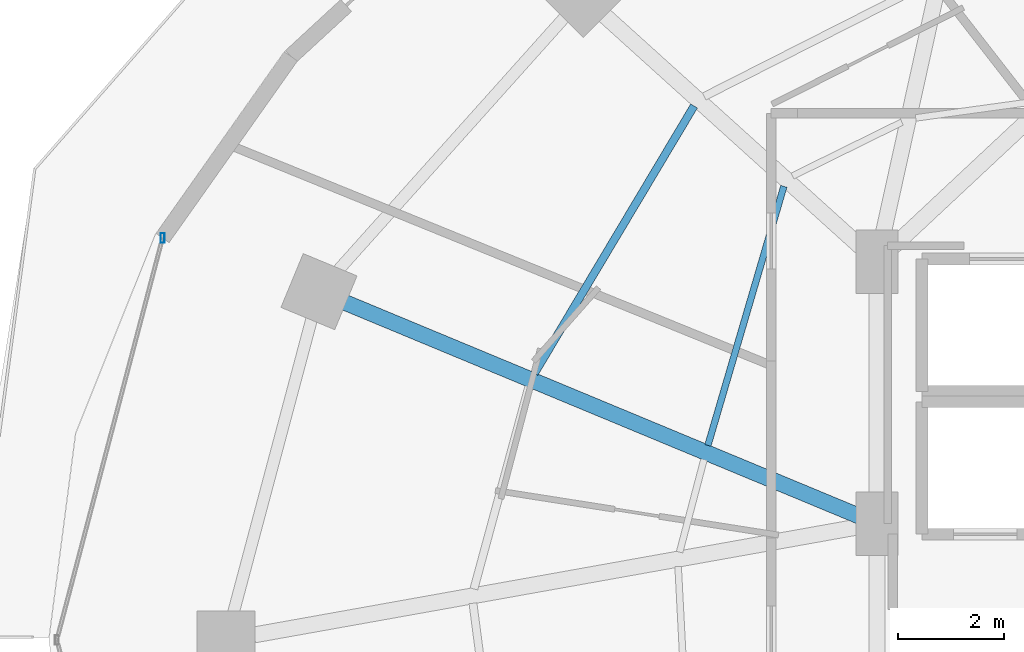
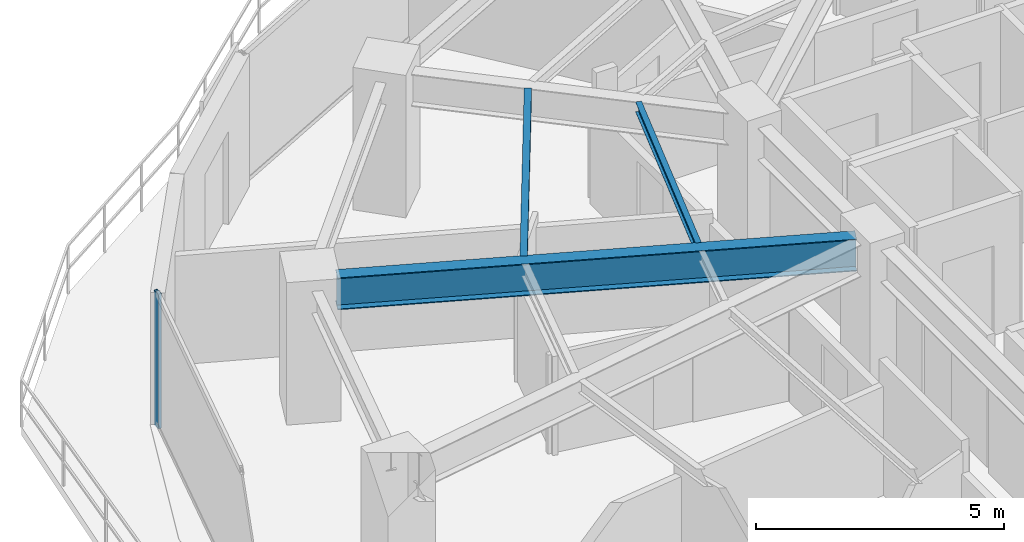
# One storey, part 8 of 30: 3 beams, 1 member, 1 element without a shape of its own.
"""IFC4 building model written with IfcOpenShell, lengths in metres."""

from ifc_helpers import new_model, si_unit, direction, frame, origin, origin_2d, place, context, subcontext, project, spatial, hollow_rectangle, i_section, extrude, material, material_profile, profile_set, type_object, element, aggregate, save


model = new_model("IFC4")

# Units and contexts
model_context = context("Model", 3, precision=1e-05, world=origin(), true_north=direction((0.0, 1.0)))
body_context = subcontext(model_context, "Body", "Model", "MODEL_VIEW")
ifc_project = project(units=[si_unit("LENGTHUNIT", "METRE"), si_unit("AREAUNIT", "SQUARE_METRE"), si_unit("VOLUMEUNIT", "CUBIC_METRE"), si_unit("PLANEANGLEUNIT", "RADIAN"), si_unit("MASSUNIT", "GRAM", prefix="KILO")], contexts=[model_context])

# Site, building, storey
site_placement = place(None, origin())
site = spatial("IfcSite", under=ifc_project, at=site_placement, CompositionType="ELEMENT")
building_placement = place(site_placement, origin())
building = spatial("IfcBuilding", under=site, at=building_placement, Name="Vorneva Point Tower", CompositionType="ELEMENT")
storey_placement = place(building_placement, frame((0.0, 0.0, 96.300048828125)))
storey = spatial("IfcBuildingStorey", under=building, at=storey_placement, Name="L25", CompositionType="ELEMENT", Elevation=96.300048828125)

# Beams
ifc_material_1 = material(Name="Steel S355", Category="steel")
ifc_material_profile_1 = material_profile(ifc_material_1, i_section(OverallWidth=0.300048828125, OverallDepth=0.7880859375, WebThickness=0.014404296875, FlangeThickness=0.02197265625, at=origin_2d()), Name="80Sh1")
ifc_profile_set_1 = profile_set([ifc_material_profile_1], Name="Steel S355")
beam_type_1 = type_object("IfcBeamType", Name="BM-GRD-80Sh1", PredefinedType="USERDEFINED", material=ifc_profile_set_1)
beam_1_placement = place(storey_placement, frame((17.201416015625, 32.375732421875, 2.845947265625), z_axis=(0.923444451211, -0.383732127307, 0.0), x_axis=(0.383732127307, 0.923444451211, 0.0)))
element("IfcBeam", 1, at=beam_1_placement, inside=storey, type_object=beam_type_1, Name="L25 Radial Primary Girder 08", ObjectType="GIRDER", PredefinedType="USERDEFINED", context=body_context, shape_type="SweptSolid", body=[
    extrude(i_section(OverallWidth=0.300048828125, OverallDepth=0.7880859375, WebThickness=0.014404296875, FlangeThickness=0.02197265625, at=origin_2d()), origin(), (0.0, 0.0, 1.0), 10.541748046875),
])
ifc_material_profile_2 = material_profile(ifc_material_1, i_section(OverallWidth=0.1240234375, OverallDepth=0.248046875, WebThickness=0.0048828125, FlangeThickness=0.008056640625, at=origin_2d()), Name="25B1")
ifc_profile_set_2 = profile_set([ifc_material_profile_2], Name="Steel S355")
beam_type_2 = type_object("IfcBeamType", Name="BM-JST-25B1", PredefinedType="JOIST", material=ifc_profile_set_2)
beam_2_placement = place(storey_placement, frame((25.48974609375, 34.572509765625, 3.115966796875), z_axis=(-0.281319059286, -0.959614290683, 0.0), x_axis=(0.959614290683, -0.281319059286, 0.0)))
element("IfcBeam", 2, at=beam_2_placement, inside=storey, type_object=beam_type_2, Name="L25 Secondary Floor Beam 2.07", PredefinedType="JOIST", context=body_context, shape_type="SweptSolid", body=[
    extrude(i_section(OverallWidth=0.1240234375, OverallDepth=0.248046875, WebThickness=0.0048828125, FlangeThickness=0.008056640625, at=origin_2d()), origin(), (0.0, 0.0, 1.0), 5.10205078125),
])
ifc_material_profile_3 = material_profile(ifc_material_1, i_section(OverallWidth=0.14892578125, OverallDepth=0.298095703125, WebThickness=0.005615234375, FlangeThickness=0.008056640625, at=origin_2d()), Name="30B1")
ifc_profile_set_3 = profile_set([ifc_material_profile_3], Name="Steel S355")
beam_type_3 = type_object("IfcBeamType", Name="BM-JST-30B1", PredefinedType="JOIST", material=ifc_profile_set_3)
beam_3_placement = place(storey_placement, frame((23.792724609375, 36.090576171875, 3.091064453125), z_axis=(-0.512554220876, -0.8586548612, 0.0), x_axis=(0.8586548612, -0.512554220876, 0.0)))
element("IfcBeam", 3, at=beam_3_placement, inside=storey, type_object=beam_type_3, Name="L25 Secondary Floor Beam 1.07", PredefinedType="JOIST", context=body_context, shape_type="SweptSolid", body=[
    extrude(i_section(OverallWidth=0.14892578125, OverallDepth=0.298095703125, WebThickness=0.005615234375, FlangeThickness=0.008056640625, at=origin_2d()), origin(), (0.0, 0.0, 1.0), 5.884521484375),
])

# Curtain wall, member
ifc_material_2 = material(Name="Pale anodised aluminium", Category="aluminium")
curtain_wall_type = type_object("IfcCurtainWallType", Name="CW-HTL-SYS", PredefinedType="NOTDEFINED", material=ifc_material_2)
curtain_wall_placement = place(storey_placement, origin())
curtain_wall = element("IfcCurtainWall", 4, at=curtain_wall_placement, inside=storey, type_object=curtain_wall_type, Name="L25 Unitised Curtain Wall CW-L25-R03", PredefinedType="NOTDEFINED")
ifc_material_profile_4 = material_profile(ifc_material_2, hollow_rectangle(XDim=0.074951171875, YDim=0.179931640625, WallThickness=0.00390625, at=origin_2d()), Name="AL-MUL 180x75x4")
ifc_profile_set_4 = profile_set([ifc_material_profile_4], Name="Pale anodised aluminium")
member_type = type_object("IfcMemberType", Name="CW-MUL-180", PredefinedType="MULLION", material=ifc_profile_set_4)
member_placement = place(storey_placement, frame((13.748291015625, 33.59619140625, -0.0400390625), z_axis=(0.0, 0.0, 1.0), x_axis=(1.0, 0.0, 0.0)))
member = element("IfcMember", 5, at=member_placement, type_object=member_type, Name="CW-L25-R03 Mullion 01", PredefinedType="MULLION", context=body_context, shape_type="SweptSolid", body=[
    extrude(hollow_rectangle(XDim=0.074951171875, YDim=0.179931640625, WallThickness=0.00390625, at=origin_2d()), origin(), (0.0, 0.0, 1.0), 3.31005859375),
])
aggregate(curtain_wall, [member])

save(model, "model.ifc")
